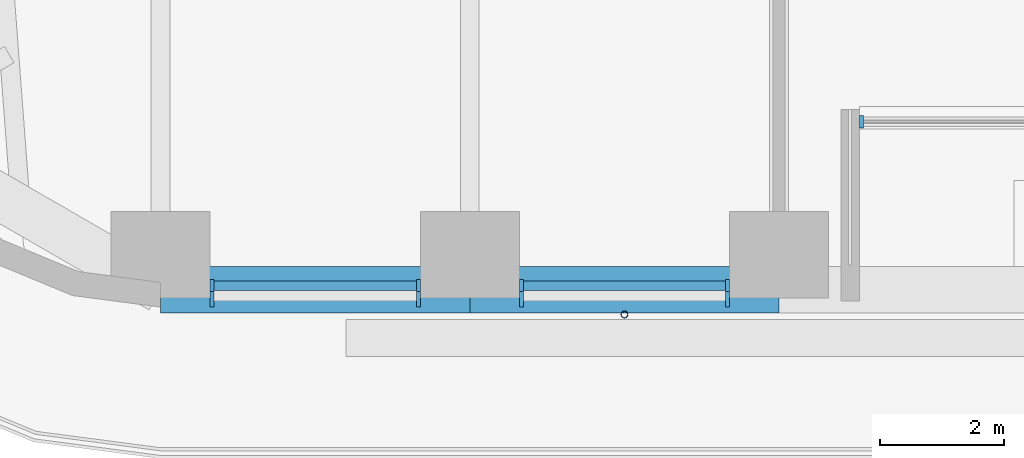
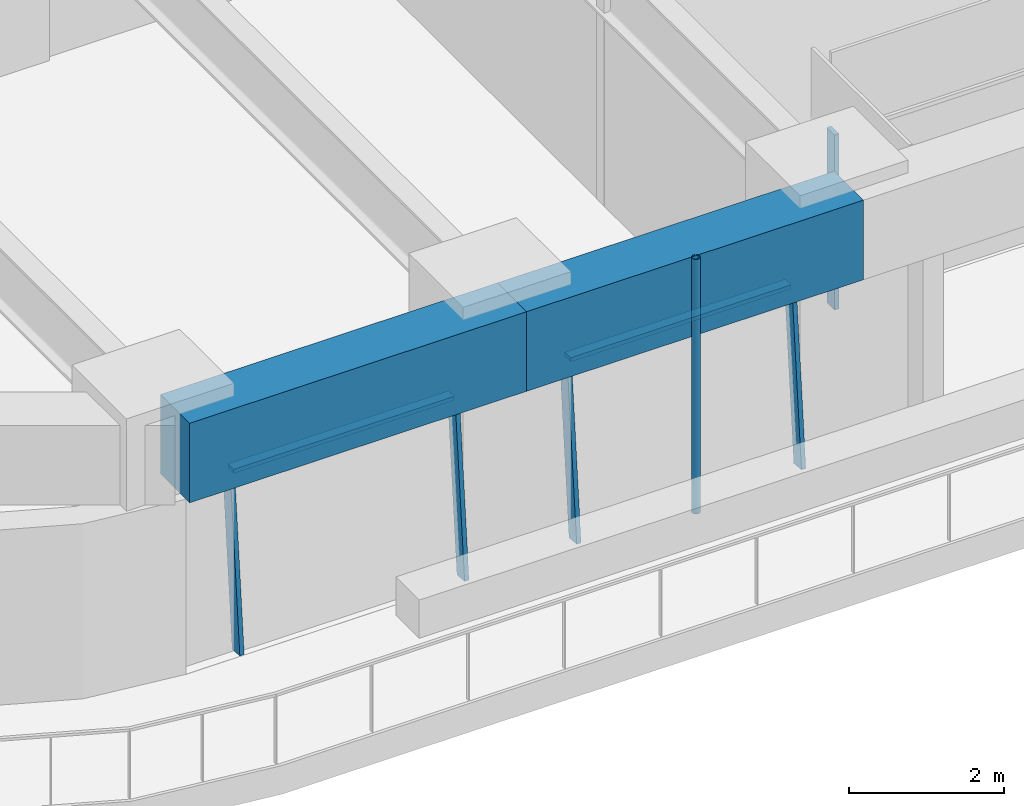
# One storey, part 2 of 24: 8 members, 2 beams, 3 elements without a shape of their own.
"""IFC4 building model written with IfcOpenShell, lengths in metres."""

from ifc_helpers import new_model, si_unit, direction, frame, origin, origin_2d, place, context, subcontext, project, spatial, rectangle, hollow_circle, extrude, material, material_profile, profile_set, type_object, element, aggregate, save


model = new_model("IFC4")

# Units and contexts
model_context = context("Model", 3, precision=1e-05, world=origin(), true_north=direction((0.0, 1.0)))
body_context = subcontext(model_context, "Body", "Model", "MODEL_VIEW")
ifc_project = project(units=[si_unit("LENGTHUNIT", "METRE"), si_unit("AREAUNIT", "SQUARE_METRE"), si_unit("VOLUMEUNIT", "CUBIC_METRE"), si_unit("PLANEANGLEUNIT", "RADIAN"), si_unit("MASSUNIT", "GRAM", prefix="KILO")], contexts=[model_context])

# Site, building, storey
site_placement = place(None, origin())
site = spatial("IfcSite", under=ifc_project, at=site_placement, CompositionType="ELEMENT")
building_placement = place(site_placement, origin())
building = spatial("IfcBuilding", under=site, at=building_placement, Name="Tarfa Lantern Tower", CompositionType="ELEMENT")
storey_placement = place(building_placement, frame((0.0, 0.0, 178.300048828125)))
storey = spatial("IfcBuildingStorey", under=building, at=storey_placement, Name="L40", CompositionType="ELEMENT", Elevation=178.300048828125)

# Curtain wall, members
ifc_material_1 = material(Name="Aluminium framed curtain wall", Category="aluminium")
curtain_wall_type_1 = type_object("IfcCurtainWallType", Name="CW2 CANTED GLAZING MID ZONE 2750", PredefinedType="USERDEFINED", material=ifc_material_1)
curtain_wall_1_placement = place(storey_placement, origin())
curtain_wall_1 = element("IfcCurtainWall", 1, at=curtain_wall_1_placement, inside=storey, type_object=curtain_wall_type_1, Name="CW2 S L40", ObjectType="CURTAIN WALL", PredefinedType="USERDEFINED")
ifc_material_2 = material(Name="Aluminium mullion", Category="aluminium")
ifc_material_profile_1 = material_profile(ifc_material_2, rectangle(XDim=0.06494140625, YDim=0.199951171875, at=origin_2d()), Name="AL MULLION 65x200")
ifc_profile_set_1 = profile_set([ifc_material_profile_1], Name="Aluminium mullion")
member_type_1 = type_object("IfcMemberType", Name="CWM1 MULLION 65x200", PredefinedType="MULLION", material=ifc_profile_set_1)
member_1_placement = place(storey_placement, frame((-14.1787109375, -31.39990234375, 0.0), z_axis=(0.0, 0.090535746043, 0.995893206468), x_axis=(-1.0, 0.0, 0.0)))
member_1 = element("IfcMember", 2, at=member_1_placement, type_object=member_type_1, Name="CW2 mullion 1", PredefinedType="MULLION", context=body_context, shape_type="SweptSolid", body=[
    extrude(rectangle(XDim=0.06494140625, YDim=0.199951171875, at=origin_2d()), origin(), (0.0, 0.0, 1.0), 2.76123046875),
])
member_2_placement = place(storey_placement, frame((-10.83984375, -31.39990234375, 0.0), z_axis=(0.0, 0.090535746043, 0.995893206468), x_axis=(-1.0, 0.0, 0.0)))
member_2 = element("IfcMember", 3, at=member_2_placement, type_object=member_type_1, Name="CW2 mullion 2", PredefinedType="MULLION", context=body_context, shape_type="SweptSolid", body=[
    extrude(rectangle(XDim=0.06494140625, YDim=0.199951171875, at=origin_2d()), origin(), (0.0, 0.0, 1.0), 2.76123046875),
])

curtain_wall_2_placement = place(storey_placement, origin())
curtain_wall_2 = element("IfcCurtainWall", 4, at=curtain_wall_2_placement, inside=storey, type_object=curtain_wall_type_1, Name="CW2 S L40", ObjectType="CURTAIN WALL", PredefinedType="USERDEFINED")
member_3_placement = place(storey_placement, frame((-9.1748046875, -31.39990234375, 0.0), z_axis=(0.0, 0.090535746043, 0.995893206468), x_axis=(-1.0, 0.0, 0.0)))
member_3 = element("IfcMember", 5, at=member_3_placement, type_object=member_type_1, Name="CW2 mullion 1", PredefinedType="MULLION", context=body_context, shape_type="SweptSolid", body=[
    extrude(rectangle(XDim=0.06494140625, YDim=0.199951171875, at=origin_2d()), origin(), (0.0, 0.0, 1.0), 2.76123046875),
])
member_4_placement = place(storey_placement, frame((-5.836181640625, -31.39990234375, 0.0), z_axis=(0.0, 0.090535746043, 0.995893206468), x_axis=(-1.0, 0.0, 0.0)))
member_4 = element("IfcMember", 6, at=member_4_placement, type_object=member_type_1, Name="CW2 mullion 2", PredefinedType="MULLION", context=body_context, shape_type="SweptSolid", body=[
    extrude(rectangle(XDim=0.06494140625, YDim=0.199951171875, at=origin_2d()), origin(), (0.0, 0.0, 1.0), 2.76123046875),
])

# Curtain wall, member
curtain_wall_type_2 = type_object("IfcCurtainWallType", Name="CW10 LOGGIA GLAZING 2750", PredefinedType="USERDEFINED", material=ifc_material_1)
curtain_wall_3_placement = place(storey_placement, origin())
curtain_wall_3 = element("IfcCurtainWall", 7, at=curtain_wall_3_placement, inside=storey, type_object=curtain_wall_type_2, Name="CW10 SL L40", ObjectType="CURTAIN WALL", PredefinedType="USERDEFINED")
member_5_placement = place(storey_placement, frame((-3.671142578125, -28.5, 0.0), z_axis=(0.0, 0.0, 1.0), x_axis=(1.0, 0.0, 0.0)))
member_5 = element("IfcMember", 8, at=member_5_placement, type_object=member_type_1, Name="CW10 mullion 1", PredefinedType="MULLION", context=body_context, shape_type="SweptSolid", body=[
    extrude(rectangle(XDim=0.06494140625, YDim=0.199951171875, at=origin_2d()), origin(), (0.0, 0.0, 1.0), 2.75),
])
aggregate(curtain_wall_3, [member_5])

# Member
ifc_material_3 = material(Name="Aluminium transom", Category="aluminium")
ifc_material_profile_2 = material_profile(ifc_material_3, rectangle(XDim=0.14990234375, YDim=0.06494140625, at=origin_2d()), Name="AL TRANSOM 150x65")
ifc_profile_set_2 = profile_set([ifc_material_profile_2], Name="Aluminium transom")
member_type_2 = type_object("IfcMemberType", Name="CWT1 TRANSOM 150x65", PredefinedType="USERDEFINED", material=ifc_profile_set_2)
member_6_placement = place(storey_placement, frame((-14.14599609375, -31.153076171875, 2.717529296875), z_axis=(1.0, 0.0, 0.0), x_axis=(0.0, 1.0, 0.0)))
member_6 = element("IfcMember", 9, at=member_6_placement, type_object=member_type_2, Name="CW2 transom 1.2", ObjectType="TRANSOM", PredefinedType="USERDEFINED", context=body_context, shape_type="SweptSolid", body=[
    extrude(rectangle(XDim=0.14990234375, YDim=0.06494140625, at=origin_2d()), origin(), (0.0, 0.0, 1.0), 3.273681640625),
])

aggregate(curtain_wall_1, [member_1, member_2, member_6])

member_7_placement = place(storey_placement, frame((-9.142333984375, -31.153076171875, 2.717529296875), z_axis=(1.0, 0.0, 0.0), x_axis=(0.0, 1.0, 0.0)))
member_7 = element("IfcMember", 10, at=member_7_placement, type_object=member_type_2, Name="CW2 transom 1.2", ObjectType="TRANSOM", PredefinedType="USERDEFINED", context=body_context, shape_type="SweptSolid", body=[
    extrude(rectangle(XDim=0.14990234375, YDim=0.06494140625, at=origin_2d()), origin(), (0.0, 0.0, 1.0), 3.273681640625),
])

aggregate(curtain_wall_2, [member_3, member_4, member_7])

# Beams
ifc_material_4 = material(Name="Concrete C80/95", Category="concrete")
ifc_material_profile_3 = material_profile(ifc_material_4, rectangle(XDim=0.75, YDim=1.25, at=origin_2d()), Name="RC 750x1250")
ifc_profile_set_3 = profile_set([ifc_material_profile_3], Name="Concrete C80/95")
beam_type = type_object("IfcBeamType", Name="EB2 RC 750x1250", PredefinedType="SPANDREL", material=ifc_profile_set_3)
for number, where, z_axis, x_axis, name in (
    (11, (-15.010986328125, -31.219970703125, 3.375), (1.0, 0.0, 0.0), (0.0, 1.0, 0.0), "Edge beam S0"),
    (12, (-10.00732421875, -31.219970703125, 3.375), (1.0, 0.0, 0.0), (0.0, 1.0, 0.0), "Edge beam S1"),
):
    element("IfcBeam", number, at=place(storey_placement, frame(where, z_axis=z_axis, x_axis=x_axis)), inside=storey, type_object=beam_type, Name=name, PredefinedType="SPANDREL", context=body_context, shape_type="SweptSolid", body=[
        extrude(rectangle(XDim=0.75, YDim=1.25, at=origin_2d()), origin(), (0.0, 0.0, 1.0), 5.003662109375),
    ])

# Member
ifc_material_5 = material(Name="Steel S355", Category="steel")
ifc_material_profile_4 = material_profile(ifc_material_5, hollow_circle(Radius=0.05712890625, WallThickness=0.00634765625, at=origin_2d()), Name="CHS114.3x6.3")
ifc_profile_set_4 = profile_set([ifc_material_profile_4], Name="Steel S355")
member_type_3 = type_object("IfcMemberType", Name="TR1 GREEN WALL TRELLIS CHS114.3x6.3", PredefinedType="USERDEFINED", material=ifc_profile_set_4)
member_8_placement = place(storey_placement, frame((-7.505615234375, -31.6201171875, 0.0), z_axis=(0.0, 0.0, 1.0), x_axis=(1.0, 0.0, 0.0)))
element("IfcMember", 13, at=member_8_placement, inside=storey, type_object=member_type_3, Name="Trellis post S 1", ObjectType="TRELLIS", PredefinedType="USERDEFINED", context=body_context, shape_type="SweptSolid", body=[
    extrude(hollow_circle(Radius=0.05712890625, WallThickness=0.00634765625, at=origin_2d()), origin(), (0.0, 0.0, 1.0), 4.0),
])

save(model, "model.ifc")
